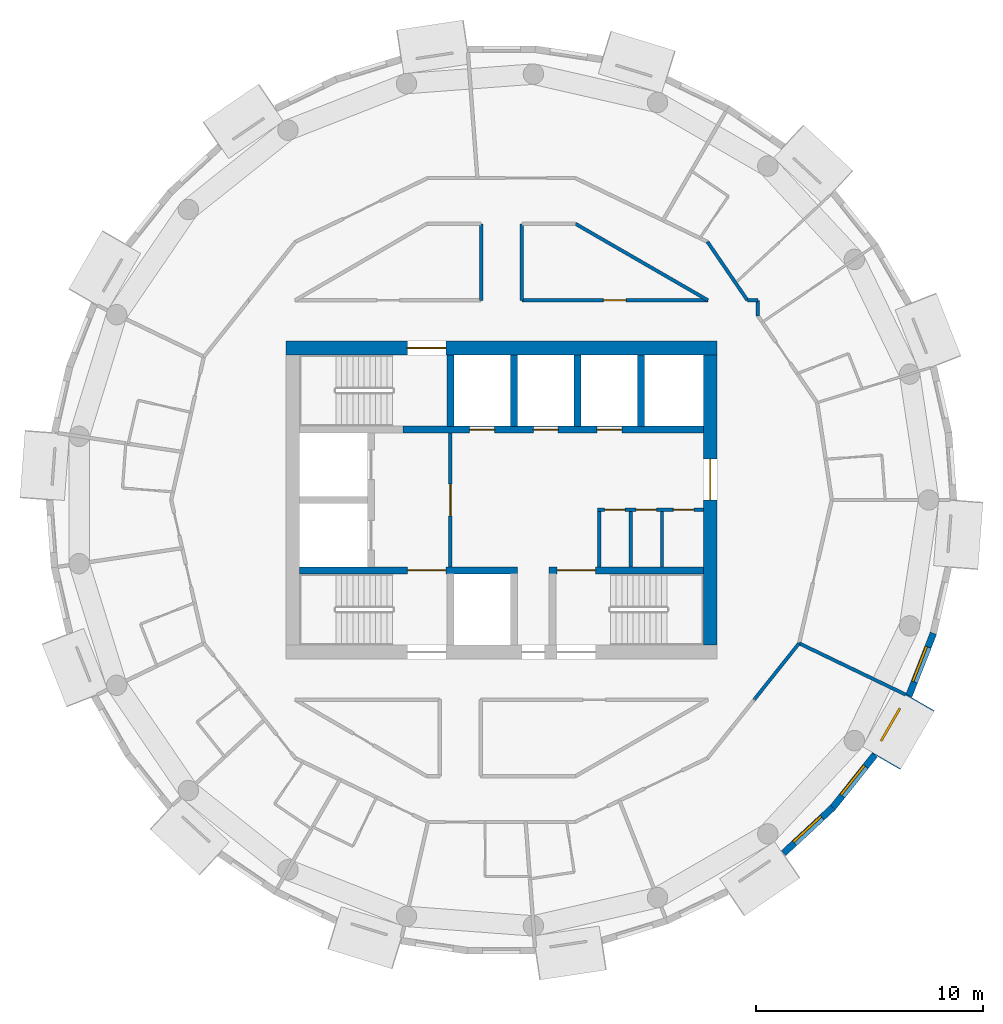
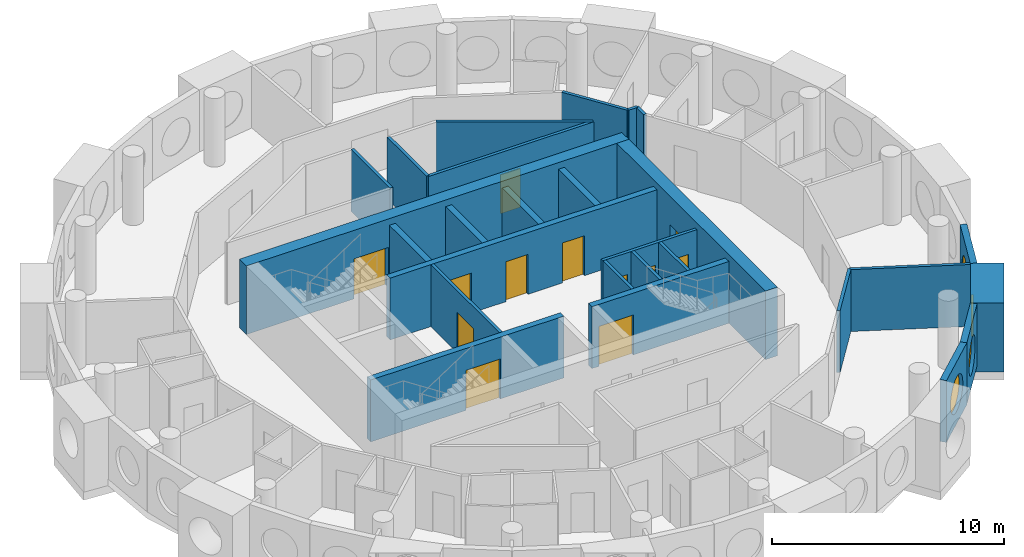
# One storey, part 8 of 12: 27 walls, 12 doors, 4 windows, 16 openings.
"""IFC4 building model written with IfcOpenShell, lengths in metres."""

from ifc_helpers import new_model, si_unit, direction, frame, frame_2d, origin, origin_2d, place, context, subcontext, project, spatial, rectangle, circle, extrude, material, layer, layer_set, type_object, element, fill, save


model = new_model("IFC4")

# Units and contexts
model_context = context("Model", 3, precision=1e-05, world=origin(), true_north=direction((0.0, 1.0)))
body_context = subcontext(model_context, "Body", "Model", "MODEL_VIEW")
ifc_project = project(units=[si_unit("LENGTHUNIT", "METRE"), si_unit("AREAUNIT", "SQUARE_METRE"), si_unit("VOLUMEUNIT", "CUBIC_METRE"), si_unit("PLANEANGLEUNIT", "RADIAN"), si_unit("MASSUNIT", "GRAM", prefix="KILO")], contexts=[model_context])

# Site, building, storey
site_placement = place(None, origin())
site = spatial("IfcSite", under=ifc_project, at=site_placement, CompositionType="ELEMENT")
building_placement = place(site_placement, origin())
building = spatial("IfcBuilding", under=site, at=building_placement, Name="Tracery Tower", CompositionType="ELEMENT")
storey_placement = place(building_placement, frame((0.0, 0.0, 291.0)))
storey = spatial("IfcBuildingStorey", under=building, at=storey_placement, Name="L75", CompositionType="ELEMENT", Elevation=291.0)

# Wall, opening, door
ifc_material_1 = material(Name="Plasterboard on steel studs", Category="steel")
ifc_layer_1 = layer(ifc_material_1, 0.14990234375)
ifc_layer_set_1 = layer_set([ifc_layer_1], Name="Core lobby partition 150")
wall_type_1 = type_object("IfcWallType", Name="Core lobby partition 150", PredefinedType="SOLIDWALL", material=ifc_layer_set_1)
wall_1_placement = place(storey_placement, frame((-2.25, -2.949951171875, 0.0), z_axis=(0.0, 0.0, 1.0), x_axis=(0.0, 1.0, 0.0)))
wall_1 = element("IfcWall", 1, at=wall_1_placement, inside=storey, type_object=wall_type_1, Name="L75 FF lobby E", PredefinedType="SOLIDWALL", context=body_context, shape_type="SweptSolid", body=[
    extrude(rectangle(XDim=5.89990234375, YDim=0.14990234375, at=frame_2d((2.949951171875, 0.0))), origin(), (0.0, 0.0, 1.0), 3.25),
])
opening_1_placement = place(wall_1_placement, frame((2.25, 0.0, 0.0)))
opening_1 = element("IfcOpeningElement", 2, at=opening_1_placement, cuts=wall_1, Name="Opening KD8", PredefinedType="OPENING", context=body_context, shape_type="SweptSolid", body=[
    extrude(rectangle(XDim=1.39990234375, YDim=2.10009765625, at=frame_2d((0.699951171875, 1.050048828125))), frame((0.0, 0.074951171875, 0.0), z_axis=(0.0, -1.0, 0.0), x_axis=(1.0, 0.0, 0.0)), (0.0, 0.0, 1.0), 0.14990234375),
])
ifc_material_2 = material(Name="Steel fire door", Category="steel")
door_type_1 = type_object("IfcDoorType", Name="Core lobby door 1400 double", OperationType="NOTDEFINED", PredefinedType="DOOR", material=ifc_material_2)
door_1_placement = place(opening_1_placement, origin())
door_1 = element("IfcDoor", 3, at=door_1_placement, inside=storey, type_object=door_type_1, Name="Fire-fighting lobby door", OperationType="DOUBLE_DOOR_SINGLE_SWING", OverallHeight=2.10009765625, OverallWidth=1.39990234375, PredefinedType="DOOR", context=body_context, shape_type="SweptSolid", body=[
    extrude(rectangle(XDim=1.39990234375, YDim=2.10009765625, at=frame_2d((0.699951171875, 1.050048828125))), frame((0.0, 0.02490234375, 0.0), z_axis=(0.0, -1.0, 0.0), x_axis=(1.0, 0.0, 0.0)), (0.0, 0.0, 1.0), 0.050048828125),
])
fill(opening_1, door_1)

# Wall
ifc_material_3 = material(Name="Plasterboard on steel studs", Category="steel")
ifc_layer_2 = layer(ifc_material_3, 0.14990234375)
ifc_layer_set_2 = layer_set([ifc_layer_2], Name="Core room partition 150")
wall_type_2 = type_object("IfcWallType", Name="Core room partition 150", PredefinedType="SOLIDWALL", material=ifc_layer_set_2)
wall_2_placement = place(storey_placement, frame((4.300048828125, -2.949951171875, 0.0), z_axis=(0.0, 0.0, 1.0), x_axis=(0.0, 1.0, 0.0)))
element("IfcWall", 4, at=wall_2_placement, inside=storey, type_object=wall_type_2, Name="L75 slot W", PredefinedType="SOLIDWALL", context=body_context, shape_type="SweptSolid", body=[
    extrude(rectangle(XDim=2.449951171875, YDim=0.14990234375, at=frame_2d((1.22509765625, 0.0))), origin(), (0.0, 0.0, 1.0), 3.25),
])

# Wall, openings, doors
wall_3_placement = place(storey_placement, frame((4.22509765625, -0.425048828125, 0.0), z_axis=(0.0, 0.0, 1.0), x_axis=(1.0, 0.0, 0.0)))
wall_3 = element("IfcWall", 5, at=wall_3_placement, inside=storey, type_object=wall_type_2, Name="L75 slot N", PredefinedType="SOLIDWALL", context=body_context, shape_type="SweptSolid", body=[
    extrude(rectangle(XDim=4.6748046875, YDim=0.14990234375, at=frame_2d((2.33740234375, 0.0))), origin(), (0.0, 0.0, 1.0), 3.25),
])
opening_2_placement = place(wall_3_placement, frame((0.324951171875, 0.0, 0.0)))
opening_2 = element("IfcOpeningElement", 6, at=opening_2_placement, cuts=wall_3, Name="Opening KD27", PredefinedType="OPENING", context=body_context, shape_type="SweptSolid", body=[
    extrude(rectangle(XDim=0.89990234375, YDim=2.10009765625, at=frame_2d((0.449951171875, 1.050048828125))), frame((0.0, 0.074951171875, 0.0), z_axis=(0.0, -1.0, 0.0), x_axis=(1.0, 0.0, 0.0)), (0.0, 0.0, 1.0), 0.14990234375),
])
opening_3_placement = place(wall_3_placement, frame((1.71240234375, 0.0, 0.0)))
opening_3 = element("IfcOpeningElement", 7, at=opening_3_placement, cuts=wall_3, Name="Opening KD31", PredefinedType="OPENING", context=body_context, shape_type="SweptSolid", body=[
    extrude(rectangle(XDim=0.89990234375, YDim=2.10009765625, at=frame_2d((0.449951171875, 1.050048828125))), frame((0.0, 0.074951171875, 0.0), z_axis=(0.0, -1.0, 0.0), x_axis=(1.0, 0.0, 0.0)), (0.0, 0.0, 1.0), 0.14990234375),
])
opening_4_placement = place(wall_3_placement, frame((3.35009765625, 0.0, 0.0)))
opening_4 = element("IfcOpeningElement", 8, at=opening_4_placement, cuts=wall_3, Name="Opening KD22", PredefinedType="OPENING", context=body_context, shape_type="SweptSolid", body=[
    extrude(rectangle(XDim=0.89990234375, YDim=2.10009765625, at=frame_2d((0.449951171875, 1.050048828125))), frame((0.0, 0.074951171875, 0.0), z_axis=(0.0, -1.0, 0.0), x_axis=(1.0, 0.0, 0.0)), (0.0, 0.0, 1.0), 0.14990234375),
])
ifc_material_4 = material(Name="Timber door leaf", Category="wood")
door_type_2 = type_object("IfcDoorType", Name="Core WC door 900", OperationType="NOTDEFINED", PredefinedType="DOOR", material=ifc_material_4)
door_2_placement = place(opening_4_placement, origin())
door_2 = element("IfcDoor", 9, at=door_2_placement, inside=storey, type_object=door_type_2, Name="Core door", OperationType="SINGLE_SWING_RIGHT", OverallHeight=2.10009765625, OverallWidth=0.89990234375, PredefinedType="DOOR", context=body_context, shape_type="SweptSolid", body=[
    extrude(rectangle(XDim=0.89990234375, YDim=2.10009765625, at=frame_2d((0.449951171875, 1.050048828125))), frame((0.0, 0.02490234375, 0.0), z_axis=(0.0, -1.0, 0.0), x_axis=(1.0, 0.0, 0.0)), (0.0, 0.0, 1.0), 0.050048828125),
])
fill(opening_4, door_2)
ifc_material_5 = material(Name="Steel fire door", Category="steel")
door_type_3 = type_object("IfcDoorType", Name="Core riser door 900", OperationType="NOTDEFINED", PredefinedType="DOOR", material=ifc_material_5)
door_3_placement = place(opening_3_placement, origin())
door_3 = element("IfcDoor", 10, at=door_3_placement, inside=storey, type_object=door_type_3, Name="Core door", OperationType="SINGLE_SWING_LEFT", OverallHeight=2.10009765625, OverallWidth=0.89990234375, PredefinedType="DOOR", context=body_context, shape_type="SweptSolid", body=[
    extrude(rectangle(XDim=0.89990234375, YDim=2.10009765625, at=frame_2d((0.449951171875, 1.050048828125))), frame((0.0, 0.02490234375, 0.0), z_axis=(0.0, -1.0, 0.0), x_axis=(1.0, 0.0, 0.0)), (0.0, 0.0, 1.0), 0.050048828125),
])
fill(opening_3, door_3)
ifc_material_6 = material(Name="Timber door leaf", Category="wood")
door_type_4 = type_object("IfcDoorType", Name="Core store door 900", OperationType="NOTDEFINED", PredefinedType="DOOR", material=ifc_material_6)
door_4_placement = place(opening_2_placement, origin())
door_4 = element("IfcDoor", 11, at=door_4_placement, inside=storey, type_object=door_type_4, Name="Core door", OperationType="SINGLE_SWING_RIGHT", OverallHeight=2.10009765625, OverallWidth=0.89990234375, PredefinedType="DOOR", context=body_context, shape_type="SweptSolid", body=[
    extrude(rectangle(XDim=0.89990234375, YDim=2.10009765625, at=frame_2d((0.449951171875, 1.050048828125))), frame((0.0, 0.02490234375, 0.0), z_axis=(0.0, -1.0, 0.0), x_axis=(1.0, 0.0, 0.0)), (0.0, 0.0, 1.0), 0.050048828125),
])
fill(opening_2, door_4)

# Walls
for number, where, z_axis, x_axis, name in (
    (12, (5.699951171875, -2.949951171875, 0.0), (0.0, 0.0, 1.0), (0.0, 1.0, 0.0), "L75 slot sep 1"),
    (13, (7.074951171875, -2.949951171875, 0.0), (0.0, 0.0, 1.0), (0.0, 1.0, 0.0), "L75 slot sep 2"),
):
    element("IfcWall", number, at=place(storey_placement, frame(where, z_axis=z_axis, x_axis=x_axis)), inside=storey, type_object=wall_type_2, Name=name, PredefinedType="SOLIDWALL", context=body_context, shape_type="SweptSolid", body=[
        extrude(rectangle(XDim=2.449951171875, YDim=0.14990234375, at=frame_2d((1.22509765625, 0.0))), origin(), (0.0, 0.0, 1.0), 3.25),
    ])

# Wall, opening, door
ifc_material_7 = material(Name="Concrete C40/50", Category="concrete")
ifc_layer_3 = layer(ifc_material_7, 0.60009765625)
ifc_layer_set_3 = layer_set([ifc_layer_3], Name="Core wall 600 C40")
wall_type_3 = type_object("IfcWallType", Name="Core wall 600 C40", PredefinedType="SOLIDWALL", material=ifc_layer_set_3)
wall_4_placement = place(storey_placement, frame((-9.5, 6.699951171875, 0.0), z_axis=(0.0, 0.0, 1.0), x_axis=(1.0, 0.0, 0.0)))
wall_4 = element("IfcWall", 14, at=wall_4_placement, inside=storey, type_object=wall_type_3, Name="L75 outer N", PredefinedType="SOLIDWALL", context=body_context, shape_type="SweptSolid", body=[
    extrude(rectangle(XDim=19.0, YDim=0.60009765625, at=frame_2d((9.5, 0.0))), origin(), (0.0, 0.0, 1.0), 3.60009765625),
])
opening_5_placement = place(wall_4_placement, frame((5.35009765625, 0.0, 0.0)))
opening_5 = element("IfcOpeningElement", 15, at=opening_5_placement, cuts=wall_4, Name="Opening KD3", PredefinedType="OPENING", context=body_context, shape_type="SweptSolid", body=[
    extrude(rectangle(XDim=1.699951171875, YDim=2.10009765625, at=frame_2d((0.85009765625, 1.050048828125))), frame((0.0, 0.300048828125, 0.0), z_axis=(0.0, -1.0, 0.0), x_axis=(1.0, 0.0, 0.0)), (0.0, 0.0, 1.0), 0.60009765625),
])
ifc_material_8 = material(Name="Steel fire door", Category="steel")
door_type_5 = type_object("IfcDoorType", Name="Core stair door 1700 double", OperationType="NOTDEFINED", PredefinedType="DOOR", material=ifc_material_8)
door_5_placement = place(opening_5_placement, origin())
door_5 = element("IfcDoor", 16, at=door_5_placement, inside=storey, type_object=door_type_5, Name="Stair door ST3 exit", OperationType="DOUBLE_DOOR_SINGLE_SWING", OverallHeight=2.10009765625, OverallWidth=1.699951171875, PredefinedType="DOOR", context=body_context, shape_type="SweptSolid", body=[
    extrude(rectangle(XDim=1.699951171875, YDim=2.10009765625, at=frame_2d((0.85009765625, 1.050048828125))), frame((0.0, 0.02490234375, 0.0), z_axis=(0.0, -1.0, 0.0), x_axis=(1.0, 0.0, 0.0)), (0.0, 0.0, 1.0), 0.050048828125),
])
fill(opening_5, door_5)

wall_5_placement = place(storey_placement, frame((9.199951171875, -6.39990234375, 0.0), z_axis=(0.0, 0.0, 1.0), x_axis=(0.0, 1.0, 0.0)))
wall_5 = element("IfcWall", 17, at=wall_5_placement, inside=storey, type_object=wall_type_3, Name="L75 outer E", PredefinedType="SOLIDWALL", context=body_context, shape_type="SweptSolid", body=[
    extrude(rectangle(XDim=12.7998046875, YDim=0.60009765625, at=frame_2d((6.39990234375, 0.0))), origin(), (0.0, 0.0, 1.0), 3.60009765625),
])
opening_6_placement = place(wall_5_placement, frame((6.39990234375, 0.0, 0.0)))
opening_6 = element("IfcOpeningElement", 18, at=opening_6_placement, cuts=wall_5, Name="Opening KD13", PredefinedType="OPENING", context=body_context, shape_type="SweptSolid", body=[
    extrude(rectangle(XDim=1.800048828125, YDim=2.10009765625, at=frame_2d((0.89990234375, 1.050048828125))), frame((0.0, 0.300048828125, 0.0), z_axis=(0.0, -1.0, 0.0), x_axis=(1.0, 0.0, 0.0)), (0.0, 0.0, 1.0), 0.60009765625),
])
ifc_material_9 = material(Name="Steel fire door", Category="steel")
door_type_6 = type_object("IfcDoorType", Name="Core exit door 1800 double", OperationType="NOTDEFINED", PredefinedType="DOOR", material=ifc_material_9)
door_6_placement = place(opening_6_placement, origin())
door_6 = element("IfcDoor", 19, at=door_6_placement, inside=storey, type_object=door_type_6, Name="Core exit door", OperationType="DOUBLE_DOOR_SINGLE_SWING", OverallHeight=2.10009765625, OverallWidth=1.800048828125, PredefinedType="DOOR", context=body_context, shape_type="SweptSolid", body=[
    extrude(rectangle(XDim=1.800048828125, YDim=2.10009765625, at=frame_2d((0.89990234375, 1.050048828125))), frame((0.0, 0.02490234375, 0.0), z_axis=(0.0, -1.0, 0.0), x_axis=(1.0, 0.0, 0.0)), (0.0, 0.0, 1.0), 0.050048828125),
])
fill(opening_6, door_6)

# Wall, opening, window
ifc_material_10 = material(Name="Precast concrete C50/60", Category="concrete")
ifc_layer_4 = layer(ifc_material_10, 1.449951171875)
ifc_layer_set_4 = layer_set([ifc_layer_4], Name="Deep-set bay unit 3000 x 3600, slab edge 350")
wall_type_4 = type_object("IfcWallType", Name="Deep-set bay unit 3000 x 3600, slab edge 350", PredefinedType="ELEMENTEDWALL", material=ifc_layer_set_4)
wall_6_placement = place(storey_placement, frame((16.952392578125, -11.51953125, -0.35009765625), z_axis=(0.0, 0.0, 1.0), x_axis=(0.499990139034, 0.866031096941, 0.0)))
wall_6 = element("IfcWall", 20, at=wall_6_placement, inside=storey, type_object=wall_type_4, Name="Deep-set bay unit 39 at L75", PredefinedType="ELEMENTEDWALL", context=body_context, shape_type="SweptSolid", body=[
    extrude(rectangle(XDim=3.0, YDim=1.449951171875, at=frame_2d((1.5, 0.0))), origin(), (0.0, 0.0, 1.0), 3.60009765625),
])
opening_7_placement = place(wall_6_placement, frame((1.5, 0.0, 1.89990234375)))
opening_7 = element("IfcOpeningElement", 21, at=opening_7_placement, cuts=wall_6, Name="Opening WN1", PredefinedType="OPENING", context=body_context, shape_type="SweptSolid", body=[
    extrude(circle(Radius=0.9000244140625, at=origin_2d()), frame((0.0, 0.73486328125, 0.0), z_axis=(0.0, -1.0, 0.0), x_axis=(1.0, 0.0, 0.0)), (0.0, 0.0, 1.0), 1.469970703125),
])
ifc_material_11 = material(Name="Aluminium frame with tinted double glazing", Category="aluminium")
window_type = type_object("IfcWindowType", Name="Round window 1800", PartitioningType="SINGLE_PANEL", PredefinedType="WINDOW", material=ifc_material_11)
window_1_placement = place(opening_7_placement, origin())
window_1 = element("IfcWindow", 22, at=window_1_placement, inside=storey, type_object=window_type, Name="Round window 39 at L75", OverallHeight=1.800048828125, OverallWidth=1.800048828125, PartitioningType="SINGLE_PANEL", PredefinedType="WINDOW", context=body_context, shape_type="SweptSolid", body=[
    extrude(circle(Radius=0.9000244140625, at=origin_2d()), frame((0.0, 0.69482421875, 0.0), z_axis=(0.0, -1.0, 0.0), x_axis=(1.0, 0.0, 0.0)), (0.0, 0.0, 1.0), 0.10009765625),
])
fill(opening_7, window_1)

ifc_material_12 = material(Name="Precast concrete C50/60", Category="concrete")
ifc_layer_5 = layer(ifc_material_12, 0.300048828125)
ifc_layer_set_5 = layer_set([ifc_layer_5], Name="Facade panel 3000 x 3250")
wall_type_5 = type_object("IfcWallType", Name="Facade panel 3000 x 3250", PredefinedType="SOLIDWALL", material=ifc_layer_set_5)
wall_7_placement = place(storey_placement, frame((12.43212890625, -15.565185546875, 0.0), z_axis=(0.0, 0.0, 1.0), x_axis=(0.733066412643, 0.680157066165, 0.0)))
wall_7 = element("IfcWall", 23, at=wall_7_placement, inside=storey, type_object=wall_type_5, Name="Facade panel 37 at L75", PredefinedType="SOLIDWALL", context=body_context, shape_type="SweptSolid", body=[
    extrude(rectangle(XDim=2.96240234375, YDim=0.300048828125, at=frame_2d((1.481201171875, 0.0))), origin(), (0.0, 0.0, 1.0), 3.25),
])
opening_8_placement = place(wall_7_placement, frame((1.48095703125, 0.0, 1.5498046875)))
opening_8 = element("IfcOpeningElement", 24, at=opening_8_placement, cuts=wall_7, Name="Opening WN1", PredefinedType="OPENING", context=body_context, shape_type="SweptSolid", body=[
    extrude(circle(Radius=0.9000244140625, at=origin_2d()), frame((0.0, 0.159912109375, 0.0), z_axis=(0.0, -1.0, 0.0), x_axis=(1.0, 0.0, 0.0)), (0.0, 0.0, 1.0), 0.320068359375),
])
window_2_placement = place(opening_8_placement, origin())
window_2 = element("IfcWindow", 25, at=window_2_placement, inside=storey, type_object=window_type, Name="Round window 37 at L75", OverallHeight=1.800048828125, OverallWidth=1.800048828125, PartitioningType="SINGLE_PANEL", PredefinedType="WINDOW", context=body_context, shape_type="SweptSolid", body=[
    extrude(circle(Radius=0.9000244140625, at=origin_2d()), frame((0.0, 0.1201171875, 0.0), z_axis=(0.0, -1.0, 0.0), x_axis=(1.0, 0.0, 0.0)), (0.0, 0.0, 1.0), 0.10009765625),
])
fill(opening_8, window_2)

wall_8_placement = place(storey_placement, frame((14.603759765625, -13.55029296875, 0.0), z_axis=(0.0, 0.0, 1.0), x_axis=(0.623498236992, 0.781824755599, 0.0)))
wall_8 = element("IfcWall", 26, at=wall_8_placement, inside=storey, type_object=wall_type_5, Name="Facade panel 38 at L75", PredefinedType="SOLIDWALL", context=body_context, shape_type="SweptSolid", body=[
    extrude(rectangle(XDim=2.962158203125, YDim=0.300048828125, at=frame_2d((1.48095703125, 0.0))), origin(), (0.0, 0.0, 1.0), 3.25),
])
opening_9_placement = place(wall_8_placement, frame((1.48095703125, 0.0, 1.5498046875)))
opening_9 = element("IfcOpeningElement", 27, at=opening_9_placement, cuts=wall_8, Name="Opening WN1", PredefinedType="OPENING", context=body_context, shape_type="SweptSolid", body=[
    extrude(circle(Radius=0.9000244140625, at=origin_2d()), frame((0.0, 0.159912109375, 0.0), z_axis=(0.0, -1.0, 0.0), x_axis=(1.0, 0.0, 0.0)), (0.0, 0.0, 1.0), 0.320068359375),
])
window_3_placement = place(opening_9_placement, origin())
window_3 = element("IfcWindow", 28, at=window_3_placement, inside=storey, type_object=window_type, Name="Round window 38 at L75", OverallHeight=1.800048828125, OverallWidth=1.800048828125, PartitioningType="SINGLE_PANEL", PredefinedType="WINDOW", context=body_context, shape_type="SweptSolid", body=[
    extrude(circle(Radius=0.9000244140625, at=origin_2d()), frame((0.0, 0.1201171875, 0.0), z_axis=(0.0, -1.0, 0.0), x_axis=(1.0, 0.0, 0.0)), (0.0, 0.0, 1.0), 0.10009765625),
])
fill(opening_9, window_3)

wall_9_placement = place(storey_placement, frame((17.95458984375, -8.62939453125, 0.0), z_axis=(0.0, 0.0, 1.0), x_axis=(0.36530043032, 0.930889679612, 0.0)))
wall_9 = element("IfcWall", 29, at=wall_9_placement, inside=storey, type_object=wall_type_5, Name="Facade panel 40 at L75", PredefinedType="SOLIDWALL", context=body_context, shape_type="SweptSolid", body=[
    extrude(rectangle(XDim=2.9619140625, YDim=0.300048828125, at=frame_2d((1.48095703125, 0.0))), origin(), (0.0, 0.0, 1.0), 3.25),
])
opening_10_placement = place(wall_9_placement, frame((1.48095703125, 0.0, 1.5498046875)))
opening_10 = element("IfcOpeningElement", 30, at=opening_10_placement, cuts=wall_9, Name="Opening WN1", PredefinedType="OPENING", context=body_context, shape_type="SweptSolid", body=[
    extrude(circle(Radius=0.9000244140625, at=origin_2d()), frame((0.0, 0.159912109375, 0.0), z_axis=(0.0, -1.0, 0.0), x_axis=(1.0, 0.0, 0.0)), (0.0, 0.0, 1.0), 0.320068359375),
])
window_4_placement = place(opening_10_placement, origin())
window_4 = element("IfcWindow", 31, at=window_4_placement, inside=storey, type_object=window_type, Name="Round window 40 at L75", OverallHeight=1.800048828125, OverallWidth=1.800048828125, PartitioningType="SINGLE_PANEL", PredefinedType="WINDOW", context=body_context, shape_type="SweptSolid", body=[
    extrude(circle(Radius=0.9000244140625, at=origin_2d()), frame((0.0, 0.1201171875, 0.0), z_axis=(0.0, -1.0, 0.0), x_axis=(1.0, 0.0, 0.0)), (0.0, 0.0, 1.0), 0.10009765625),
])
fill(opening_10, window_4)

# Wall
ifc_material_13 = material(Name="Plasterboard on steel studs", Category="steel")
ifc_layer_6 = layer(ifc_material_13, 0.14990234375)
ifc_layer_set_6 = layer_set([ifc_layer_6], Name="Partition 150 acoustic unit wall")
wall_type_6 = type_object("IfcWallType", Name="Partition 150 acoustic unit wall", PredefinedType="PARTITIONING", material=ifc_layer_set_6)
wall_10_placement = place(storey_placement, frame((13.114990234375, -6.31591796875, 0.0), z_axis=(0.0, 0.0, 1.0), x_axis=(0.901004381064, -0.433809987557, 0.0)))
element("IfcWall", 32, at=wall_10_placement, inside=storey, type_object=wall_type_6, Name="Unit wall RC6-087", PredefinedType="PARTITIONING", context=body_context, shape_type="SweptSolid", body=[
    extrude(rectangle(XDim=5.214111328125, YDim=0.14990234375, at=frame_2d((2.60693359375, 0.0))), origin(), (0.0, 0.0, 1.0), 3.25),
])

# Wall, opening, door
ifc_material_14 = material(Name="Plasterboard on steel studs", Category="steel")
ifc_layer_7 = layer(ifc_material_14, 0.14990234375)
ifc_layer_set_7 = layer_set([ifc_layer_7], Name="Partition 150 corridor wall")
wall_type_7 = type_object("IfcWallType", Name="Partition 150 corridor wall", PredefinedType="PARTITIONING", material=ifc_layer_set_7)
wall_11_placement = place(storey_placement, frame((0.89599609375, 8.800048828125, 0.0), z_axis=(0.0, 0.0, 1.0), x_axis=(1.0, 0.0, 0.0)))
wall_11 = element("IfcWall", 33, at=wall_11_placement, inside=storey, type_object=wall_type_7, Name="Corridor wall RC6-003", PredefinedType="PARTITIONING", context=body_context, shape_type="SweptSolid", body=[
    extrude(rectangle(XDim=8.20458984375, YDim=0.14990234375, at=frame_2d((4.102294921875, 0.0))), origin(), (0.0, 0.0, 1.0), 3.25),
])
opening_11_placement = place(wall_11_placement, frame((3.597900390625, 0.0, 0.0)))
opening_11 = element("IfcOpeningElement", 34, at=opening_11_placement, cuts=wall_11, Name="Opening RC6-02", PredefinedType="OPENING", context=body_context, shape_type="SweptSolid", body=[
    extrude(rectangle(XDim=1.0, YDim=2.0400390625, at=frame_2d((0.5, 1.02001953125))), frame((0.0, 0.074951171875, 0.0), z_axis=(0.0, -1.0, 0.0), x_axis=(1.0, 0.0, 0.0)), (0.0, 0.0, 1.0), 0.14990234375),
])
ifc_material_15 = material(Name="Timber door leaf", Category="wood")
door_type_7 = type_object("IfcDoorType", Name="Door communal room 1000", OperationType="NOTDEFINED", PredefinedType="DOOR", material=ifc_material_15)
door_7_placement = place(opening_11_placement, origin())
door_7 = element("IfcDoor", 35, at=door_7_placement, inside=storey, type_object=door_type_7, Name="Communal room door RC6-02", OperationType="SINGLE_SWING_RIGHT", OverallHeight=2.0400390625, OverallWidth=1.0, PredefinedType="DOOR", context=body_context, shape_type="SweptSolid", body=[
    extrude(rectangle(XDim=1.0, YDim=2.0400390625, at=frame_2d((0.5, 1.02001953125))), frame((0.0, 0.02490234375, 0.0), z_axis=(0.0, -1.0, 0.0), x_axis=(1.0, 0.0, 0.0)), (0.0, 0.0, 1.0), 0.050048828125),
])
fill(opening_11, door_7)

# Walls
wall_12_placement = place(storey_placement, frame((9.075439453125, 11.380615234375, 0.0), z_axis=(0.0, 0.0, 1.0), x_axis=(0.564277533473, -0.825585165333, 0.0)))
element("IfcWall", 36, at=wall_12_placement, inside=storey, type_object=wall_type_7, Name="Corridor wall RC6-005", PredefinedType="PARTITIONING", context=body_context, shape_type="SweptSolid", body=[
    extrude(rectangle(XDim=3.123291015625, YDim=0.14990234375, at=frame_2d((1.5615234375, 0.0))), origin(), (0.0, 0.0, 1.0), 3.25),
])
wall_13_placement = place(storey_placement, frame((10.839111328125, 8.800048828125, 0.0), z_axis=(0.0, 0.0, 1.0), x_axis=(1.0, 0.0, 0.0)))
element("IfcWall", 37, at=wall_13_placement, inside=storey, type_object=wall_type_7, Name="Corridor wall RC6-006", PredefinedType="PARTITIONING", context=body_context, shape_type="SweptSolid", body=[
    extrude(rectangle(XDim=0.4609375, YDim=0.14990234375, at=frame_2d((0.23046875, 0.0))), origin(), (0.0, 0.0, 1.0), 3.25),
])
wall_14_placement = place(storey_placement, frame((11.300048828125, 8.113037109375, 0.0), z_axis=(0.0, 0.0, 1.0), x_axis=(0.0, 1.0, 0.0)))
element("IfcWall", 38, at=wall_14_placement, inside=storey, type_object=wall_type_7, Name="Corridor wall RC6-007", PredefinedType="PARTITIONING", context=body_context, shape_type="SweptSolid", body=[
    extrude(rectangle(XDim=0.68701171875, YDim=0.14990234375, at=frame_2d((0.343505859375, 0.0))), origin(), (0.0, 0.0, 1.0), 3.25),
])
wall_15_placement = place(storey_placement, frame((11.134033203125, -8.800048828125, 0.0), z_axis=(0.0, 0.0, 1.0), x_axis=(0.623476099415, 0.781842409606, 0.0)))
element("IfcWall", 39, at=wall_15_placement, inside=storey, type_object=wall_type_7, Name="Corridor wall RC6-023", PredefinedType="PARTITIONING", context=body_context, shape_type="SweptSolid", body=[
    extrude(rectangle(XDim=3.17724609375, YDim=0.14990234375, at=frame_2d((1.588623046875, 0.0))), origin(), (0.0, 0.0, 1.0), 3.25),
])
wall_16_placement = place(storey_placement, frame((-0.89990234375, 8.800048828125, 0.0), z_axis=(0.0, 0.0, 1.0), x_axis=(0.0, 1.0, 0.0)))
element("IfcWall", 40, at=wall_16_placement, inside=storey, type_object=wall_type_7, Name="Corridor wall RC6-025", PredefinedType="PARTITIONING", context=body_context, shape_type="SweptSolid", body=[
    extrude(rectangle(XDim=3.370849609375, YDim=0.14990234375, at=frame_2d((1.685546875, 0.0))), origin(), (0.0, 0.0, 1.0), 3.25),
])
wall_17_placement = place(storey_placement, frame((3.260986328125, 12.1708984375, 0.0), z_axis=(0.0, 0.0, 1.0), x_axis=(0.866066809554, -0.499928276245, 0.0)))
element("IfcWall", 41, at=wall_17_placement, inside=storey, type_object=wall_type_7, Name="Corridor wall RC6-027", PredefinedType="PARTITIONING", context=body_context, shape_type="SweptSolid", body=[
    extrude(rectangle(XDim=6.74267578125, YDim=0.14990234375, at=frame_2d((3.371337890625, 0.0))), origin(), (0.0, 0.0, 1.0), 3.25),
])
wall_18_placement = place(storey_placement, frame((0.89990234375, 8.800048828125, 0.0), z_axis=(0.0, 0.0, 1.0), x_axis=(0.0, 1.0, 0.0)))
element("IfcWall", 42, at=wall_18_placement, inside=storey, type_object=wall_type_7, Name="Corridor wall RC6-029", PredefinedType="PARTITIONING", context=body_context, shape_type="SweptSolid", body=[
    extrude(rectangle(XDim=3.370849609375, YDim=0.14990234375, at=frame_2d((1.685546875, 0.0))), origin(), (0.0, 0.0, 1.0), 3.25),
])
ifc_material_16 = material(Name="Concrete C40/50", Category="concrete")
ifc_layer_8 = layer(ifc_material_16, 0.300048828125)
ifc_layer_set_8 = layer_set([ifc_layer_8], Name="Shaft wall 300 C40")
wall_type_8 = type_object("IfcWallType", Name="Shaft wall 300 C40", PredefinedType="SOLIDWALL", material=ifc_layer_set_8)
for number, where, z_axis, x_axis, name in (
    (43, (0.550048828125, 3.25, 0.0), (0.0, 0.0, 1.0), (0.0, 1.0, 0.0), "L75 HR sep 1"),
    (44, (3.35009765625, 3.25, 0.0), (0.0, 0.0, 1.0), (0.0, 1.0, 0.0), "L75 HR sep 2"),
    (45, (6.14990234375, 3.25, 0.0), (0.0, 0.0, 1.0), (0.0, 1.0, 0.0), "L75 HR sep 3"),
):
    element("IfcWall", number, at=place(storey_placement, frame(where, z_axis=z_axis, x_axis=x_axis)), inside=storey, type_object=wall_type_8, Name=name, PredefinedType="SOLIDWALL", context=body_context, shape_type="SweptSolid", body=[
        extrude(rectangle(XDim=3.14990234375, YDim=0.300048828125, at=frame_2d((1.574951171875, 0.0))), origin(), (0.0, 0.0, 1.0), 3.25),
    ])

# Wall, opening, door
ifc_material_17 = material(Name="Concrete C40/50", Category="concrete")
ifc_layer_9 = layer(ifc_material_17, 0.300048828125)
ifc_layer_set_9 = layer_set([ifc_layer_9], Name="Stair wall 300 C40")
wall_type_9 = type_object("IfcWallType", Name="Stair wall 300 C40", PredefinedType="SOLIDWALL", material=ifc_layer_set_9)
wall_19_placement = place(storey_placement, frame((-8.89990234375, -3.10009765625, 0.0), z_axis=(0.0, 0.0, 1.0), x_axis=(1.0, 0.0, 0.0)))
wall_19 = element("IfcWall", 46, at=wall_19_placement, inside=storey, type_object=wall_type_9, Name="L75 row S", PredefinedType="SOLIDWALL", context=body_context, shape_type="SweptSolid", body=[
    extrude(rectangle(XDim=9.599853515625, YDim=0.300048828125, at=frame_2d((4.7998046875, 0.0))), origin(), (0.0, 0.0, 1.0), 3.25),
])
opening_12_placement = place(wall_19_placement, frame((4.75, 0.0, 0.0)))
opening_12 = element("IfcOpeningElement", 47, at=opening_12_placement, cuts=wall_19, Name="Opening KD3", PredefinedType="OPENING", context=body_context, shape_type="SweptSolid", body=[
    extrude(rectangle(XDim=1.699951171875, YDim=2.10009765625, at=frame_2d((0.85009765625, 1.050048828125))), frame((0.0, 0.14990234375, 0.0), z_axis=(0.0, -1.0, 0.0), x_axis=(1.0, 0.0, 0.0)), (0.0, 0.0, 1.0), 0.300048828125),
])
door_8_placement = place(opening_12_placement, origin())
door_8 = element("IfcDoor", 48, at=door_8_placement, inside=storey, type_object=door_type_5, Name="Stair door ST1", OperationType="DOUBLE_DOOR_SINGLE_SWING", OverallHeight=2.10009765625, OverallWidth=1.699951171875, PredefinedType="DOOR", context=body_context, shape_type="SweptSolid", body=[
    extrude(rectangle(XDim=1.699951171875, YDim=2.10009765625, at=frame_2d((0.85009765625, 1.050048828125))), frame((0.0, 0.02490234375, 0.0), z_axis=(0.0, -1.0, 0.0), x_axis=(1.0, 0.0, 0.0)), (0.0, 0.0, 1.0), 0.050048828125),
])
fill(opening_12, door_8)

wall_20_placement = place(storey_placement, frame((2.10009765625, -3.10009765625, 0.0), z_axis=(0.0, 0.0, 1.0), x_axis=(1.0, 0.0, 0.0)))
wall_20 = element("IfcWall", 49, at=wall_20_placement, inside=storey, type_object=wall_type_9, Name="L75 row S E", PredefinedType="SOLIDWALL", context=body_context, shape_type="SweptSolid", body=[
    extrude(rectangle(XDim=6.7998046875, YDim=0.300048828125, at=frame_2d((3.39990234375, 0.0))), origin(), (0.0, 0.0, 1.0), 3.25),
])
opening_13_placement = place(wall_20_placement, frame((0.35009765625, 0.0, 0.0)))
opening_13 = element("IfcOpeningElement", 50, at=opening_13_placement, cuts=wall_20, Name="Opening KD3", PredefinedType="OPENING", context=body_context, shape_type="SweptSolid", body=[
    extrude(rectangle(XDim=1.699951171875, YDim=2.10009765625, at=frame_2d((0.85009765625, 1.050048828125))), frame((0.0, 0.14990234375, 0.0), z_axis=(0.0, -1.0, 0.0), x_axis=(1.0, 0.0, 0.0)), (0.0, 0.0, 1.0), 0.300048828125),
])
door_9_placement = place(opening_13_placement, origin())
door_9 = element("IfcDoor", 51, at=door_9_placement, inside=storey, type_object=door_type_5, Name="Stair door ST2", OperationType="DOUBLE_DOOR_SINGLE_SWING", OverallHeight=2.10009765625, OverallWidth=1.699951171875, PredefinedType="DOOR", context=body_context, shape_type="SweptSolid", body=[
    extrude(rectangle(XDim=1.699951171875, YDim=2.10009765625, at=frame_2d((0.85009765625, 1.050048828125))), frame((0.0, 0.02490234375, 0.0), z_axis=(0.0, -1.0, 0.0), x_axis=(1.0, 0.0, 0.0)), (0.0, 0.0, 1.0), 0.050048828125),
])
fill(opening_13, door_9)

# Wall, openings, doors
wall_21_placement = place(storey_placement, frame((-4.35009765625, 3.10009765625, 0.0), z_axis=(0.0, 0.0, 1.0), x_axis=(1.0, 0.0, 0.0)))
wall_21 = element("IfcWall", 52, at=wall_21_placement, inside=storey, type_object=wall_type_9, Name="L75 row N", PredefinedType="SOLIDWALL", context=body_context, shape_type="SweptSolid", body=[
    extrude(rectangle(XDim=13.25, YDim=0.300048828125, at=frame_2d((6.625, 0.0))), origin(), (0.0, 0.0, 1.0), 3.25),
])
opening_14_placement = place(wall_21_placement, frame((2.949951171875, 0.0, 0.0)))
opening_14 = element("IfcOpeningElement", 53, at=opening_14_placement, cuts=wall_21, Name="Opening KD49", PredefinedType="OPENING", context=body_context, shape_type="SweptSolid", body=[
    extrude(rectangle(XDim=1.10009765625, YDim=2.10009765625, at=frame_2d((0.550048828125, 1.050048828125))), frame((0.0, 0.14990234375, 0.0), z_axis=(0.0, -1.0, 0.0), x_axis=(1.0, 0.0, 0.0)), (0.0, 0.0, 1.0), 0.300048828125),
])
opening_15_placement = place(wall_21_placement, frame((5.75, 0.0, 0.0)))
opening_15 = element("IfcOpeningElement", 54, at=opening_15_placement, cuts=wall_21, Name="Opening KD50", PredefinedType="OPENING", context=body_context, shape_type="SweptSolid", body=[
    extrude(rectangle(XDim=1.10009765625, YDim=2.10009765625, at=frame_2d((0.550048828125, 1.050048828125))), frame((0.0, 0.14990234375, 0.0), z_axis=(0.0, -1.0, 0.0), x_axis=(1.0, 0.0, 0.0)), (0.0, 0.0, 1.0), 0.300048828125),
])
opening_16_placement = place(wall_21_placement, frame((8.550048828125, 0.0, 0.0)))
opening_16 = element("IfcOpeningElement", 55, at=opening_16_placement, cuts=wall_21, Name="Opening KD49", PredefinedType="OPENING", context=body_context, shape_type="SweptSolid", body=[
    extrude(rectangle(XDim=1.10009765625, YDim=2.10009765625, at=frame_2d((0.550048828125, 1.050048828125))), frame((0.0, 0.14990234375, 0.0), z_axis=(0.0, -1.0, 0.0), x_axis=(1.0, 0.0, 0.0)), (0.0, 0.0, 1.0), 0.300048828125),
])
ifc_material_18 = material(Name="Steel fire door", Category="steel")
door_type_8 = type_object("IfcDoorType", Name="Landing door 1100", OperationType="NOTDEFINED", PredefinedType="DOOR", material=ifc_material_18)
door_10_placement = place(opening_14_placement, origin())
door_10 = element("IfcDoor", 56, at=door_10_placement, inside=storey, type_object=door_type_8, Name="Landing door HR1", OperationType="SLIDING_TO_LEFT", OverallHeight=2.10009765625, OverallWidth=1.10009765625, PredefinedType="DOOR", context=body_context, shape_type="SweptSolid", body=[
    extrude(rectangle(XDim=1.10009765625, YDim=2.10009765625, at=frame_2d((0.550048828125, 1.050048828125))), frame((0.0, 0.02490234375, 0.0), z_axis=(0.0, -1.0, 0.0), x_axis=(1.0, 0.0, 0.0)), (0.0, 0.0, 1.0), 0.050048828125),
])
fill(opening_14, door_10)
door_11_placement = place(opening_15_placement, origin())
door_11 = element("IfcDoor", 57, at=door_11_placement, inside=storey, type_object=door_type_8, Name="Landing door HR2", OperationType="SLIDING_TO_RIGHT", OverallHeight=2.10009765625, OverallWidth=1.10009765625, PredefinedType="DOOR", context=body_context, shape_type="SweptSolid", body=[
    extrude(rectangle(XDim=1.10009765625, YDim=2.10009765625, at=frame_2d((0.550048828125, 1.050048828125))), frame((0.0, 0.02490234375, 0.0), z_axis=(0.0, -1.0, 0.0), x_axis=(1.0, 0.0, 0.0)), (0.0, 0.0, 1.0), 0.050048828125),
])
fill(opening_15, door_11)
door_12_placement = place(opening_16_placement, origin())
door_12 = element("IfcDoor", 58, at=door_12_placement, inside=storey, type_object=door_type_8, Name="Landing door HR3", OperationType="SLIDING_TO_LEFT", OverallHeight=2.10009765625, OverallWidth=1.10009765625, PredefinedType="DOOR", context=body_context, shape_type="SweptSolid", body=[
    extrude(rectangle(XDim=1.10009765625, YDim=2.10009765625, at=frame_2d((0.550048828125, 1.050048828125))), frame((0.0, 0.02490234375, 0.0), z_axis=(0.0, -1.0, 0.0), x_axis=(1.0, 0.0, 0.0)), (0.0, 0.0, 1.0), 0.050048828125),
])
fill(opening_16, door_12)

# Wall
wall_22_placement = place(storey_placement, frame((-2.25, 3.25, 0.0), z_axis=(0.0, 0.0, 1.0), x_axis=(0.0, 1.0, 0.0)))
element("IfcWall", 59, at=wall_22_placement, inside=storey, type_object=wall_type_9, Name="L75 ST3 E", PredefinedType="SOLIDWALL", context=body_context, shape_type="SweptSolid", body=[
    extrude(rectangle(XDim=3.14990234375, YDim=0.300048828125, at=frame_2d((1.574951171875, 0.0))), origin(), (0.0, 0.0, 1.0), 3.25),
])

save(model, "model.ifc")
